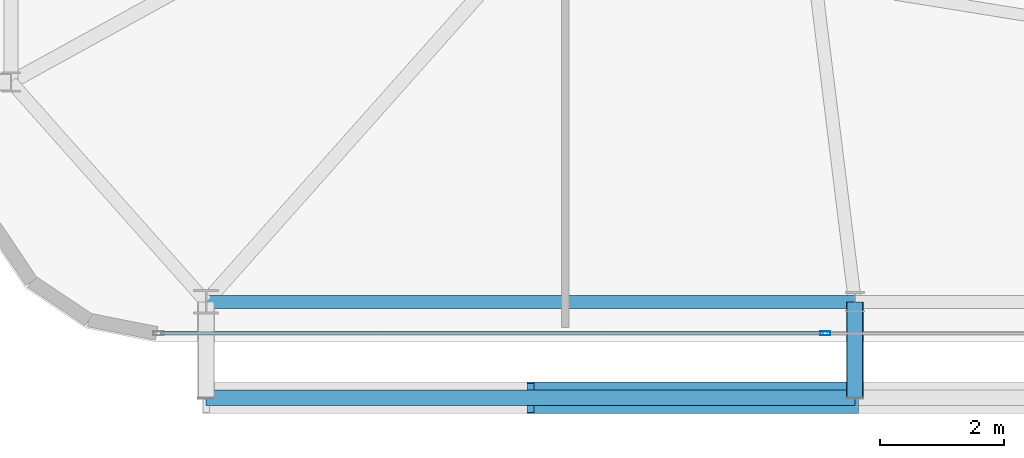
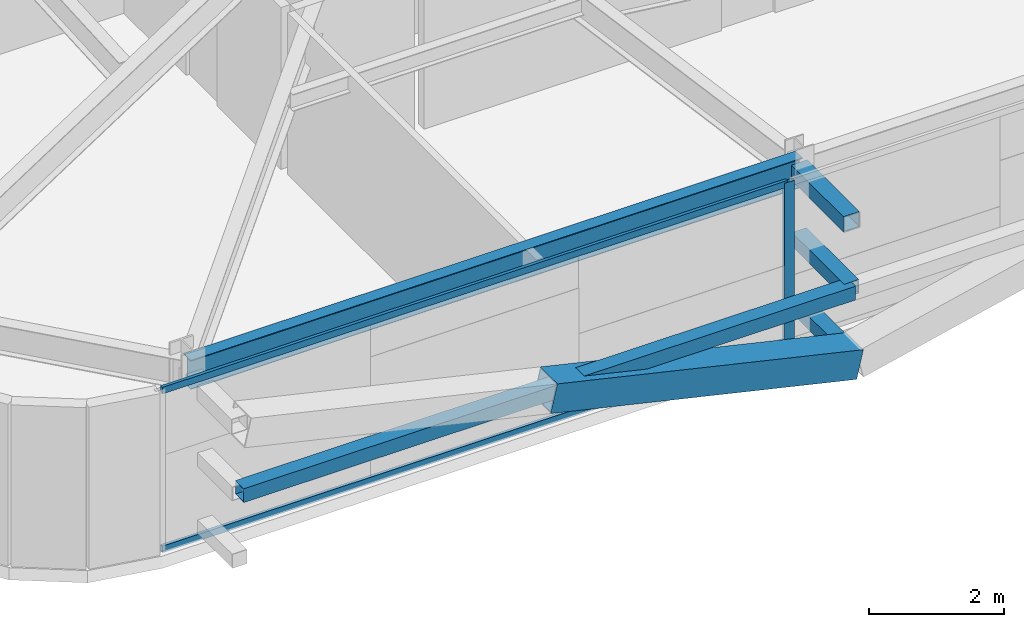
# One storey, part 6 of 44: 8 members, 1 beam, 1 element without a shape of its own.
"""IFC4 building model written with IfcOpenShell, lengths in metres."""

from ifc_helpers import new_model, si_unit, direction, frame, origin, origin_2d, place, context, subcontext, project, spatial, hollow_rectangle, i_section, extrude, source, transform, mapped, material, layer, layer_set, material_profile, profile_set, type_object, element, aggregate, save


model = new_model("IFC4")

# Units and contexts
model_context = context("Model", 3, precision=1e-05, world=origin(), true_north=direction((0.0, 1.0)))
body_context = subcontext(model_context, "Body", "Model", "MODEL_VIEW")
ifc_project = project(units=[si_unit("LENGTHUNIT", "METRE"), si_unit("AREAUNIT", "SQUARE_METRE"), si_unit("VOLUMEUNIT", "CUBIC_METRE"), si_unit("PLANEANGLEUNIT", "RADIAN"), si_unit("MASSUNIT", "GRAM", prefix="KILO")], contexts=[model_context])

# Site, building, storey
site_placement = place(None, origin())
site = spatial("IfcSite", under=ifc_project, at=site_placement, CompositionType="ELEMENT")
building_placement = place(site_placement, origin())
building = spatial("IfcBuilding", under=site, at=building_placement, Name="Taldren Reach Tower", CompositionType="ELEMENT")
storey_placement = place(building_placement, frame((0.0, 0.0, 38.85009765625)))
storey = spatial("IfcBuildingStorey", under=building, at=storey_placement, Name="L11", CompositionType="ELEMENT", Elevation=38.85009765625)

# Beam
ifc_material_1 = material(Name="Steel Gr 350 (350PLUS)", Category="steel")
ifc_material_profile_1 = material_profile(ifc_material_1, i_section(OverallWidth=0.208984375, OverallDepth=0.528076171875, WebThickness=0.009521484375, FlangeThickness=0.01318359375, at=origin_2d()), Name="530UB82.0")
ifc_profile_set_1 = profile_set([ifc_material_profile_1], Name="Steel Gr 350 (350PLUS)")
beam_type = type_object("IfcBeamType", Name="SP-UB530B", PredefinedType="SPANDREL", material=ifc_profile_set_1)
shared_shape_1 = source(origin(), body_context, "Body", "SweptSolid", [
    extrude(i_section(OverallWidth=0.208984375, OverallDepth=0.528076171875, WebThickness=0.009521484375, FlangeThickness=0.01318359375, at=origin_2d()), origin(), (0.0, 0.0, 1.0), 10.47998046875),
])
beam_placement = place(storey_placement, frame((8.800048828125, 2.14990234375, 2.666015625), z_axis=(1.0, 0.0, 0.0), x_axis=(0.0, 1.0, 0.0)))
element("IfcBeam", 1, at=beam_placement, inside=storey, type_object=beam_type, Name="Perimeter spandrel B1 S1-S2 L11", PredefinedType="SPANDREL", context=body_context, shape_type="MappedRepresentation", body=[
    mapped(shared_shape_1, transform((0.0, 0.0, 0.0), scale=1.0)),
])

# Members
ifc_material_2 = material(Name="Steel Gr 450 (C450L0)", Category="steel")
ifc_material_profile_2 = material_profile(ifc_material_2, hollow_rectangle(XDim=0.27490234375, YDim=0.27490234375, WallThickness=0.00927734375, at=origin_2d()), Name="275x275x9.3SHS")
ifc_profile_set_2 = profile_set([ifc_material_profile_2], Name="Steel Gr 450 (C450L0)")
member_type_1 = type_object("IfcMemberType", Name="MB-TIE273", PredefinedType="STRUT", material=ifc_profile_set_2)
shared_shape_2 = source(origin(), body_context, "Body", "SweptSolid", [
    extrude(hollow_rectangle(XDim=0.27490234375, YDim=0.27490234375, WallThickness=0.00927734375, at=origin_2d()), origin(), (0.0, 0.0, 1.0), 1.5498046875),
])
member_1_placement = place(storey_placement, frame((19.280029296875, 2.14990234375, 2.64990234375), z_axis=(0.0, -1.0, 0.0), x_axis=(1.0, 0.0, 0.0)))
element("IfcMember", 2, at=member_1_placement, inside=storey, type_object=member_type_1, Name="Exoskeleton diaphragm tie strut B1-S2 L11", PredefinedType="STRUT", context=body_context, shape_type="MappedRepresentation", body=[
    mapped(shared_shape_2, transform((0.0, 0.0, 0.0), scale=1.0)),
])
ifc_material_profile_3 = material_profile(ifc_material_2, hollow_rectangle(XDim=0.510009765625, YDim=0.510009765625, WallThickness=0.02001953125, at=origin_2d()), Name="510x510x20.0SHS")
ifc_profile_set_3 = profile_set([ifc_material_profile_3], Name="Steel Gr 450 (C450L0)")
member_type_2 = type_object("IfcMemberType", Name="MB-EXO508", PredefinedType="BRACE", material=ifc_profile_set_3)
shared_shape_3 = source(origin(), body_context, "Body", "SweptSolid", [
    extrude(hollow_rectangle(XDim=0.510009765625, YDim=0.510009765625, WallThickness=0.02001953125, at=origin_2d()), origin(), (0.0, 0.0, 1.0), 5.37890625),
])
member_2_placement = place(storey_placement, frame((19.280029296875, 0.60009765625, 0.219970703125), z_axis=(-0.974161966843, 0.0, 0.225850531007), x_axis=(0.0, -1.0, 0.0)))
element("IfcMember", 3, at=member_2_placement, inside=storey, type_object=member_type_2, Name="Exoskeleton Diagrid Brace B1-S1 L11", PredefinedType="BRACE", context=body_context, shape_type="MappedRepresentation", body=[
    mapped(shared_shape_3, transform((0.0, 0.0, 0.0), scale=1.0)),
])
ifc_material_3 = material(Name="Steel Gr 350 (C350L0)", Category="steel")
ifc_material_profile_4 = material_profile(ifc_material_3, hollow_rectangle(XDim=0.25, YDim=0.25, WallThickness=0.010009765625, at=origin_2d()), Name="250x250x10.0SHS")
ifc_profile_set_4 = profile_set([ifc_material_profile_4], Name="Steel Gr 350 (C350L0)")
member_type_3 = type_object("IfcMemberType", Name="MB-POST250", PredefinedType="POST", material=ifc_profile_set_4)
shared_shape_4 = source(origin(), body_context, "Body", "SweptSolid", [
    extrude(hollow_rectangle(XDim=0.25, YDim=0.25, WallThickness=0.010009765625, at=origin_2d()), origin(), (0.0, 0.0, 1.0), 10.47998046875),
])
member_3_placement = place(storey_placement, frame((8.800048828125, 0.60009765625, 1.434814453125), z_axis=(1.0, 0.0, 0.0), x_axis=(0.0, 1.0, 0.0)))
element("IfcMember", 4, at=member_3_placement, inside=storey, type_object=member_type_3, Name="Exoskeleton mid-height ring chord B1-S1 L11", PredefinedType="POST", context=body_context, shape_type="MappedRepresentation", body=[
    mapped(shared_shape_4, transform((0.0, 0.0, 0.0), scale=1.0)),
])
shared_shape_5 = source(origin(), body_context, "Body", "SweptSolid", [
    extrude(hollow_rectangle(XDim=0.25, YDim=0.25, WallThickness=0.010009765625, at=origin_2d()), origin(), (0.0, 0.0, 1.0), 1.5498046875),
])
for number, where, z_axis, x_axis, name in (
    (5, (19.280029296875, 2.14990234375, 0.219970703125), (0.0, -1.0, 0.0), (1.0, 0.0, 0.0), "Exoskeleton base diaphragm tie strut B1-S2 L11"),
    (6, (19.280029296875, 2.14990234375, 1.434814453125), (0.0, -1.0, 0.0), (1.0, 0.0, 0.0), "Exoskeleton mid-tier diaphragm tie B1-S2 L11"),
):
    element("IfcMember", number, at=place(storey_placement, frame(where, z_axis=z_axis, x_axis=x_axis)), inside=storey, type_object=member_type_3, Name=name, PredefinedType="POST", context=body_context, shape_type="MappedRepresentation", body=[
        mapped(shared_shape_5, transform((0.0, 0.0, 0.0), scale=1.0)),
    ])

# Curtain wall, members
ifc_material_4 = material(Name="Aluminium and Low-E Glass Unitised System", Category="aluminium")
ifc_layer = layer(ifc_material_4, 0.159912109375)
ifc_layer_set = layer_set([ifc_layer], Name="Aluminium and Low-E Glass Unitised System")
curtain_wall_type = type_object("IfcCurtainWallType", Name="CW-SYS-2", PredefinedType="NOTDEFINED", material=ifc_layer_set)
curtain_wall_placement = place(storey_placement, origin())
curtain_wall = element("IfcCurtainWall", 7, at=curtain_wall_placement, inside=storey, type_object=curtain_wall_type, Name="Unitised curtain wall CW-L11-S", PredefinedType="NOTDEFINED")
ifc_material_5 = material(Name="Anodised Aluminium 6063-T6", Category="aluminium")
ifc_material_profile_5 = material_profile(ifc_material_5, hollow_rectangle(XDim=0.06494140625, YDim=0.1650390625, WallThickness=0.00390625, at=origin_2d()), Name="ALU-165x65x4RHS")
ifc_profile_set_5 = profile_set([ifc_material_profile_5], Name="Anodised Aluminium 6063-T6")
member_type_4 = type_object("IfcMemberType", Name="CW-MUL-165", PredefinedType="MULLION", material=ifc_profile_set_5)
shared_shape_6 = source(origin(), body_context, "Body", "SweptSolid", [
    extrude(hollow_rectangle(XDim=0.06494140625, YDim=0.1650390625, WallThickness=0.00390625, at=origin_2d()), origin(), (0.0, 0.0, 1.0), 2.929931640625),
])
member_4_placement = place(storey_placement, frame((18.800048828125, 1.639892578125, 0.0), z_axis=(0.0, 0.0, 1.0), x_axis=(0.0, 1.0, 0.0)))
member_4 = element("IfcMember", 8, at=member_4_placement, type_object=member_type_4, Name="CW-2 mullion 2", PredefinedType="MULLION", context=body_context, shape_type="MappedRepresentation", body=[
    mapped(shared_shape_6, transform((0.0, 0.0, 0.0), scale=1.0)),
])
ifc_material_profile_6 = material_profile(ifc_material_5, hollow_rectangle(XDim=0.054931640625, YDim=0.1201171875, WallThickness=0.0029296875, at=origin_2d()), Name="ALU-120x55x3RHS")
ifc_profile_set_6 = profile_set([ifc_material_profile_6], Name="Anodised Aluminium 6063-T6")
member_type_5 = type_object("IfcMemberType", Name="CW-TRN-135", PredefinedType="USERDEFINED", material=ifc_profile_set_6)
shared_shape_7 = source(origin(), body_context, "Body", "SweptSolid", [
    extrude(hollow_rectangle(XDim=0.054931640625, YDim=0.1201171875, WallThickness=0.0029296875, at=origin_2d()), origin(), (0.0, 0.0, 1.0), 10.70263671875),
])
member_5_placement = place(storey_placement, frame((8.06494140625, 1.639892578125, 0.02734375), z_axis=(1.0, 0.0, 0.0), x_axis=(0.0, 1.0, 0.0)))
member_5 = element("IfcMember", 9, at=member_5_placement, type_object=member_type_5, Name="CW-2 transom 1.1", ObjectType="TRANSOM", PredefinedType="USERDEFINED", context=body_context, shape_type="MappedRepresentation", body=[
    mapped(shared_shape_7, transform((0.0, 0.0, 0.0), scale=1.0)),
])
member_6_placement = place(storey_placement, frame((8.06494140625, 1.639892578125, 2.90234375), z_axis=(1.0, 0.0, 0.0), x_axis=(0.0, 1.0, 0.0)))
member_6 = element("IfcMember", 10, at=member_6_placement, type_object=member_type_5, Name="CW-2 transom 1.2", ObjectType="TRANSOM", PredefinedType="USERDEFINED", context=body_context, shape_type="MappedRepresentation", body=[
    mapped(shared_shape_7, transform((0.0, 0.0, 0.0), scale=1.0)),
])
aggregate(curtain_wall, [member_4, member_5, member_6])

save(model, "model.ifc")
